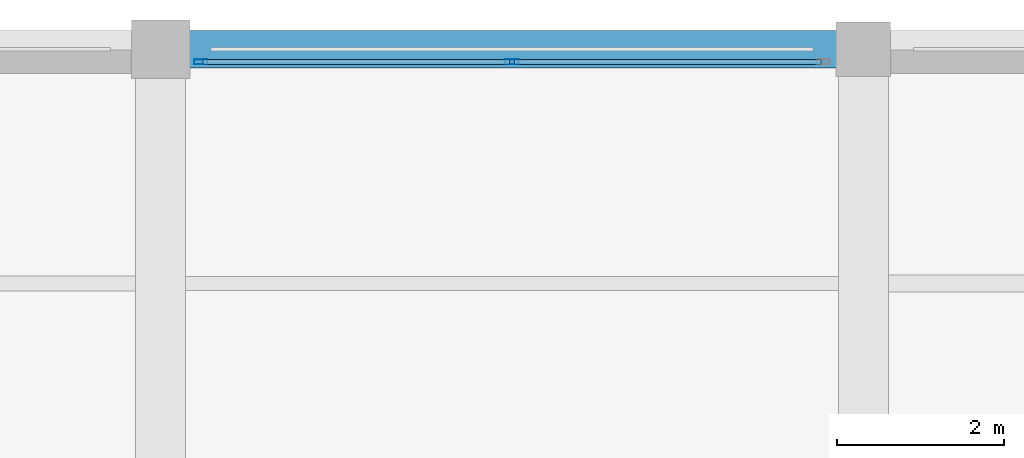
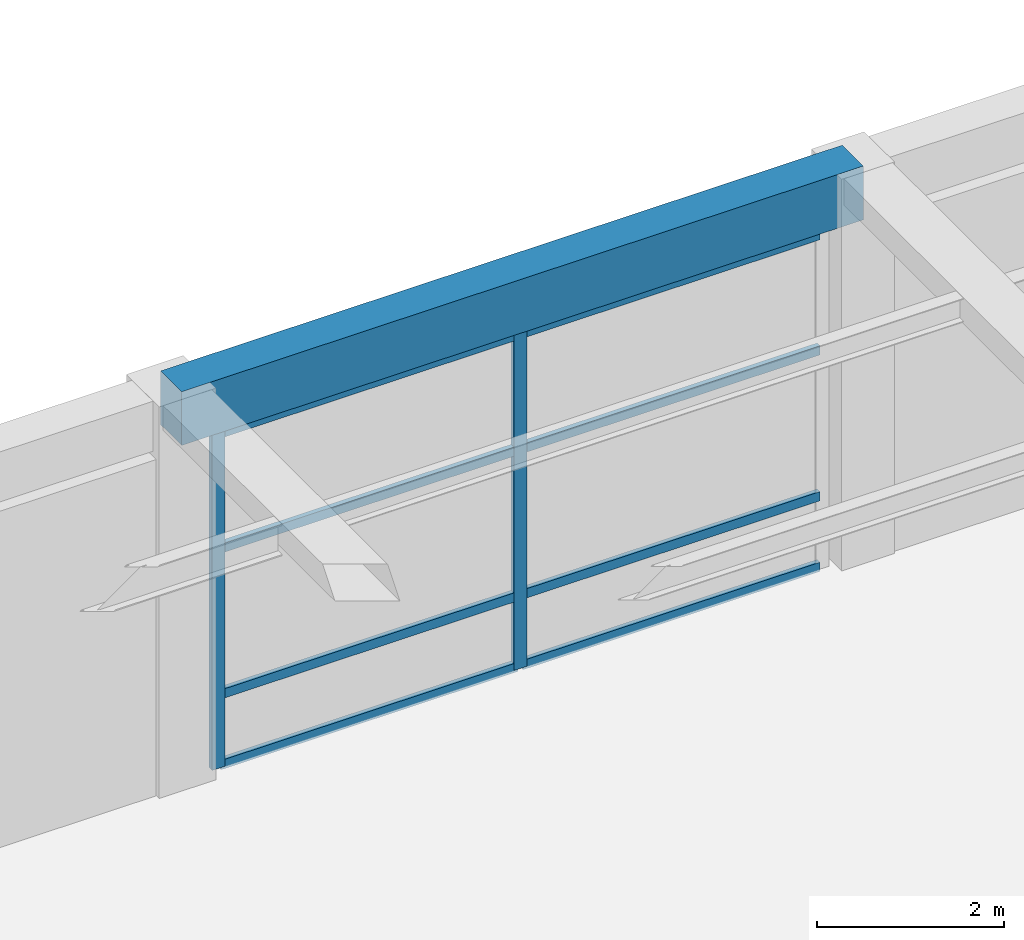
# One storey, part 48 of 96: 10 members, 1 beam, 1 element without a shape of its own.
"""IFC4 building model written with IfcOpenShell, lengths in metres."""

from ifc_helpers import new_model, si_unit, direction, frame, origin, origin_2d, place, context, subcontext, project, spatial, rectangle, hollow_rectangle, extrude, material, material_profile, profile_set, type_object, element, aggregate, save


model = new_model("IFC4")

# Units and contexts
model_context = context("Model", 3, precision=1e-05, world=origin(), true_north=direction((0.0, 1.0)))
body_context = subcontext(model_context, "Body", "Model", "MODEL_VIEW")
ifc_project = project(units=[si_unit("LENGTHUNIT", "METRE"), si_unit("AREAUNIT", "SQUARE_METRE"), si_unit("VOLUMEUNIT", "CUBIC_METRE"), si_unit("PLANEANGLEUNIT", "RADIAN"), si_unit("MASSUNIT", "GRAM", prefix="KILO")], contexts=[model_context])

# Site, building, storey
site_placement = place(None, origin())
site = spatial("IfcSite", under=ifc_project, at=site_placement, CompositionType="ELEMENT")
building_placement = place(site_placement, origin())
building = spatial("IfcBuilding", under=site, at=building_placement, Name="Almacenes y Pasaje Nevantli", CompositionType="ELEMENT")
storey_placement = place(building_placement, frame((0.0, 0.0, 6.0)))
storey = spatial("IfcBuildingStorey", under=building, at=storey_placement, Name="L02", CompositionType="ELEMENT", Elevation=6.0)

# Beam
ifc_material_1 = material(Name="Concrete C35/45", Category="concrete")
ifc_material_profile_1 = material_profile(ifc_material_1, rectangle(XDim=0.449951171875, YDim=0.699951171875, at=origin_2d()), Name="RC-BM-450x700")
ifc_profile_set_1 = profile_set([ifc_material_profile_1], Name="Concrete C35/45")
beam_type = type_object("IfcBeamType", Name="BM-RC-450x700", PredefinedType="SPANDREL", material=ifc_profile_set_1)
beam_placement = place(storey_placement, frame((100.800048828125, 117.60009765625, 4.75), z_axis=(1.0, 0.0, 0.0), x_axis=(0.0, 1.0, 0.0)))
element("IfcBeam", 1, at=beam_placement, inside=storey, type_object=beam_type, Name="L02 East-West Reinforced Concrete Beam #1958", PredefinedType="SPANDREL", context=body_context, shape_type="SweptSolid", body=[
    extrude(rectangle(XDim=0.449951171875, YDim=0.699951171875, at=origin_2d()), origin(), (0.0, 0.0, 1.0), 8.39990234375),
])

# Curtain wall, members
ifc_material_2 = material(Name="Thermally Broken Aluminium and Low-E Glass", Category="aluminium")
curtain_wall_type = type_object("IfcCurtainWallType", Name="CW-STF-BLVD", PredefinedType="USERDEFINED", material=ifc_material_2)
curtain_wall_placement = place(storey_placement, origin())
curtain_wall = element("IfcCurtainWall", 2, at=curtain_wall_placement, inside=storey, type_object=curtain_wall_type, Name="L02 North Boulevard Retail Curtain Wall Bay 13", ObjectType="STOREFRONT GLAZING", PredefinedType="USERDEFINED")
ifc_material_3 = material(Name="Thermally Broken Anodized Aluminium", Category="aluminium")
ifc_material_profile_2 = material_profile(ifc_material_3, hollow_rectangle(XDim=0.06005859375, YDim=0.159912109375, WallThickness=0.00390625, at=origin_2d()), Name="ALU-MUL-60x160")
ifc_profile_set_2 = profile_set([ifc_material_profile_2], Name="Thermally Broken Anodized Aluminium")
member_type_1 = type_object("IfcMemberType", Name="CW-MUL-180", PredefinedType="MULLION", material=ifc_profile_set_2)
member_1_placement = place(storey_placement, frame((101.280029296875, 117.449951171875, 0.0), z_axis=(0.0, 0.0, 1.0), x_axis=(0.0, 1.0, 0.0)))
member_1 = element("IfcMember", 3, at=member_1_placement, type_object=member_type_1, Name="CW-L02-008 mullion 1", PredefinedType="MULLION", context=body_context, shape_type="SweptSolid", body=[
    extrude(hollow_rectangle(XDim=0.06005859375, YDim=0.159912109375, WallThickness=0.00390625, at=origin_2d()), origin(), (0.0, 0.0, 1.0), 4.3798828125),
])
member_2_placement = place(storey_placement, frame((105.0, 117.449951171875, 0.0), z_axis=(0.0, 0.0, 1.0), x_axis=(0.0, 1.0, 0.0)))
member_2 = element("IfcMember", 4, at=member_2_placement, type_object=member_type_1, Name="CW-L02-008 mullion 2", PredefinedType="MULLION", context=body_context, shape_type="SweptSolid", body=[
    extrude(hollow_rectangle(XDim=0.06005859375, YDim=0.159912109375, WallThickness=0.00390625, at=origin_2d()), origin(), (0.0, 0.0, 1.0), 4.3798828125),
])
ifc_material_4 = material(Name="Thermally Broken Anodized Aluminium", Category="aluminium")
ifc_material_profile_3 = material_profile(ifc_material_4, hollow_rectangle(XDim=0.06005859375, YDim=0.1201171875, WallThickness=0.00341796875, at=origin_2d()), Name="ALU-TRN-60x120")
ifc_profile_set_3 = profile_set([ifc_material_profile_3], Name="Thermally Broken Anodized Aluminium")
member_type_2 = type_object("IfcMemberType", Name="CW-TRN-130", PredefinedType="USERDEFINED", material=ifc_profile_set_3)
member_3_placement = place(storey_placement, frame((101.31005859375, 117.449951171875, 0.030029296875), z_axis=(1.0, 0.0, 0.0), x_axis=(0.0, 1.0, 0.0)))
member_3 = element("IfcMember", 5, at=member_3_placement, type_object=member_type_2, Name="CW-L02-008 transom 1.1", ObjectType="TRANSOM", PredefinedType="USERDEFINED", context=body_context, shape_type="SweptSolid", body=[
    extrude(hollow_rectangle(XDim=0.06005859375, YDim=0.1201171875, WallThickness=0.00341796875, at=origin_2d()), origin(), (0.0, 0.0, 1.0), 3.659912109375),
])
member_4_placement = place(storey_placement, frame((101.31005859375, 117.449951171875, 0.949951171875), z_axis=(1.0, 0.0, 0.0), x_axis=(0.0, 1.0, 0.0)))
member_4 = element("IfcMember", 6, at=member_4_placement, type_object=member_type_2, Name="CW-L02-008 transom 1.2", ObjectType="TRANSOM", PredefinedType="USERDEFINED", context=body_context, shape_type="SweptSolid", body=[
    extrude(hollow_rectangle(XDim=0.06005859375, YDim=0.1201171875, WallThickness=0.00341796875, at=origin_2d()), origin(), (0.0, 0.0, 1.0), 3.659912109375),
])
member_5_placement = place(storey_placement, frame((101.31005859375, 117.449951171875, 2.85009765625), z_axis=(1.0, 0.0, 0.0), x_axis=(0.0, 1.0, 0.0)))
member_5 = element("IfcMember", 7, at=member_5_placement, type_object=member_type_2, Name="CW-L02-008 transom 1.3", ObjectType="TRANSOM", PredefinedType="USERDEFINED", context=body_context, shape_type="SweptSolid", body=[
    extrude(hollow_rectangle(XDim=0.06005859375, YDim=0.1201171875, WallThickness=0.00341796875, at=origin_2d()), origin(), (0.0, 0.0, 1.0), 3.659912109375),
])
member_6_placement = place(storey_placement, frame((101.31005859375, 117.449951171875, 4.35009765625), z_axis=(1.0, 0.0, 0.0), x_axis=(0.0, 1.0, 0.0)))
member_6 = element("IfcMember", 8, at=member_6_placement, type_object=member_type_2, Name="CW-L02-008 transom 1.4", ObjectType="TRANSOM", PredefinedType="USERDEFINED", context=body_context, shape_type="SweptSolid", body=[
    extrude(hollow_rectangle(XDim=0.06005859375, YDim=0.1201171875, WallThickness=0.00341796875, at=origin_2d()), origin(), (0.0, 0.0, 1.0), 3.659912109375),
])
member_7_placement = place(storey_placement, frame((105.030029296875, 117.449951171875, 0.030029296875), z_axis=(1.0, 0.0, 0.0), x_axis=(0.0, 1.0, 0.0)))
member_7 = element("IfcMember", 9, at=member_7_placement, type_object=member_type_2, Name="CW-L02-008 transom 2.1", ObjectType="TRANSOM", PredefinedType="USERDEFINED", context=body_context, shape_type="SweptSolid", body=[
    extrude(hollow_rectangle(XDim=0.06005859375, YDim=0.1201171875, WallThickness=0.00341796875, at=origin_2d()), origin(), (0.0, 0.0, 1.0), 3.659912109375),
])
member_8_placement = place(storey_placement, frame((105.030029296875, 117.449951171875, 0.949951171875), z_axis=(1.0, 0.0, 0.0), x_axis=(0.0, 1.0, 0.0)))
member_8 = element("IfcMember", 10, at=member_8_placement, type_object=member_type_2, Name="CW-L02-008 transom 2.2", ObjectType="TRANSOM", PredefinedType="USERDEFINED", context=body_context, shape_type="SweptSolid", body=[
    extrude(hollow_rectangle(XDim=0.06005859375, YDim=0.1201171875, WallThickness=0.00341796875, at=origin_2d()), origin(), (0.0, 0.0, 1.0), 3.659912109375),
])
member_9_placement = place(storey_placement, frame((105.030029296875, 117.449951171875, 2.85009765625), z_axis=(1.0, 0.0, 0.0), x_axis=(0.0, 1.0, 0.0)))
member_9 = element("IfcMember", 11, at=member_9_placement, type_object=member_type_2, Name="CW-L02-008 transom 2.3", ObjectType="TRANSOM", PredefinedType="USERDEFINED", context=body_context, shape_type="SweptSolid", body=[
    extrude(hollow_rectangle(XDim=0.06005859375, YDim=0.1201171875, WallThickness=0.00341796875, at=origin_2d()), origin(), (0.0, 0.0, 1.0), 3.659912109375),
])
member_10_placement = place(storey_placement, frame((105.030029296875, 117.449951171875, 4.35009765625), z_axis=(1.0, 0.0, 0.0), x_axis=(0.0, 1.0, 0.0)))
member_10 = element("IfcMember", 12, at=member_10_placement, type_object=member_type_2, Name="CW-L02-008 transom 2.4", ObjectType="TRANSOM", PredefinedType="USERDEFINED", context=body_context, shape_type="SweptSolid", body=[
    extrude(hollow_rectangle(XDim=0.06005859375, YDim=0.1201171875, WallThickness=0.00341796875, at=origin_2d()), origin(), (0.0, 0.0, 1.0), 3.659912109375),
])
aggregate(curtain_wall, [member_1, member_2, member_3, member_4, member_5, member_6, member_7, member_8, member_9, member_10])

save(model, "model.ifc")
